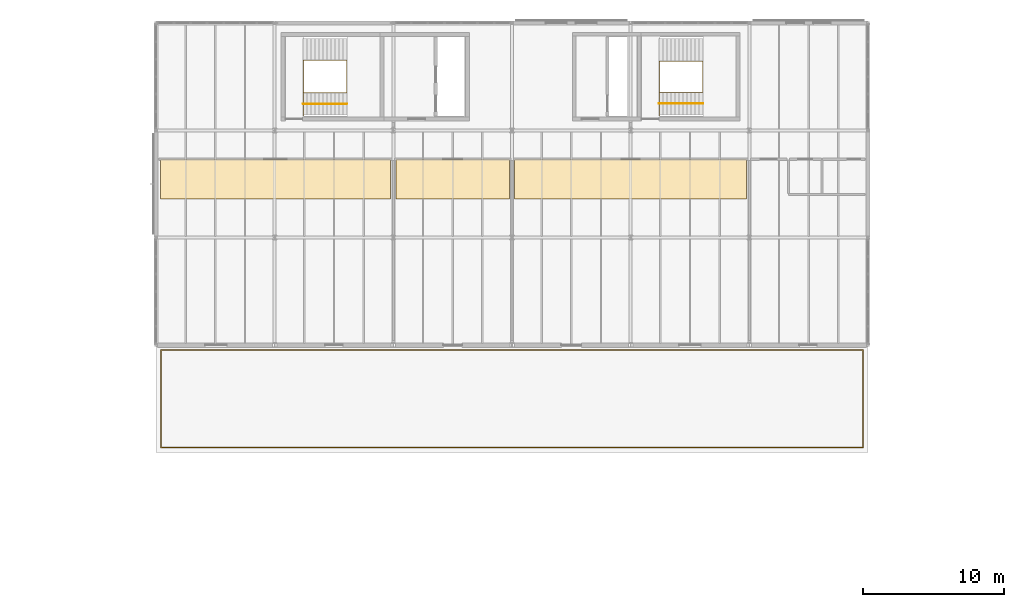
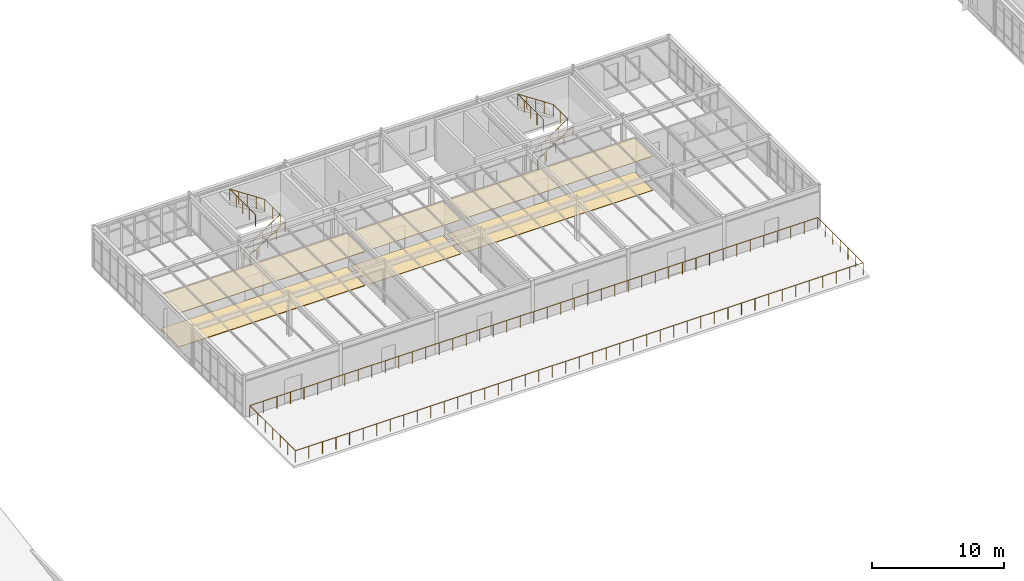
# One storey, part 63 of 65: 6 coverings, 5 railings.
"""IFC4 building model written with IfcOpenShell, lengths in metres."""

from ifc_helpers import new_model, si_unit, direction, frame, origin, origin_2d, place, context, subcontext, project, spatial, polyline, circle, outline, extrude, material, layer, layer_set, type_object, element, save


model = new_model("IFC4")

# Units and contexts
model_context = context("Model", 3, precision=1e-05, world=origin(), true_north=direction((0.0, 1.0)))
body_context = subcontext(model_context, "Body", "Model", "MODEL_VIEW")
ifc_project = project(units=[si_unit("LENGTHUNIT", "METRE"), si_unit("AREAUNIT", "SQUARE_METRE"), si_unit("VOLUMEUNIT", "CUBIC_METRE"), si_unit("PLANEANGLEUNIT", "RADIAN"), si_unit("MASSUNIT", "GRAM", prefix="KILO")], contexts=[model_context])

# Site, building, storey
site_placement = place(None, origin())
site = spatial("IfcSite", under=ifc_project, at=site_placement, CompositionType="ELEMENT")
building_placement = place(site_placement, origin())
building = spatial("IfcBuilding", under=site, at=building_placement, Name="Montecoro Central Library", CompositionType="ELEMENT")
storey_placement = place(building_placement, frame((0.0, 0.0, 17.340087890625)))
storey = spatial("IfcBuildingStorey", under=building, at=storey_placement, Name="L04", CompositionType="ELEMENT", Elevation=17.340087890625)

# Coverings
ifc_material_1 = material(Name="Acoustic perforated mineral ceiling")
ifc_layer_1 = layer(ifc_material_1, 0.02490234375)
ifc_layer_set_1 = layer_set([ifc_layer_1], Name="Acoustic perforated mineral ceiling")
covering_type_1 = type_object("IfcCoveringType", Name="COV-CLG-01", PredefinedType="CEILING", material=ifc_layer_set_1)
covering_1_placement = place(storey_placement, frame((0.0, 0.0, 3.155029296875)))
element("IfcCovering", 1, at=covering_1_placement, inside=storey, type_object=covering_type_1, Name="CLG-SP-V2-L04-R2P1", PredefinedType="CEILING", context=body_context, shape_type="SweptSolid", body=[
    extrude(outline(polyline([(83.389892578125, 106.550048828125), (91.409912109375, 106.550048828125), (91.409912109375, 109.35009765625), (83.389892578125, 109.35009765625), (83.389892578125, 106.550048828125)])), origin(), (0.0, 0.0, 1.0), 0.02490234375),
])
ifc_layer_2 = layer(ifc_material_1, 0.031982421875)
ifc_layer_set_2 = layer_set([ifc_layer_2], Name="Acoustic perforated mineral ceiling")
covering_type_2 = type_object("IfcCoveringType", Name="COV-CLG-02", PredefinedType="CEILING", material=ifc_layer_set_2)
covering_2_placement = place(storey_placement, frame((0.0, 0.0, 3.14794921875)))
element("IfcCovering", 2, at=covering_2_placement, inside=storey, type_object=covering_type_2, Name="CLG-SP-V2-L04-R3P1", PredefinedType="CEILING", context=body_context, shape_type="SweptSolid", body=[
    extrude(outline(polyline([(91.7900390625, 106.550048828125), (108.2099609375, 106.550048828125), (108.2099609375, 109.35009765625), (91.7900390625, 109.35009765625), (91.7900390625, 106.550048828125)])), origin(), (0.0, 0.0, 1.0), 0.031982421875),
])
ifc_layer_3 = layer(ifc_material_1, 0.048095703125)
ifc_layer_set_3 = layer_set([ifc_layer_3], Name="Acoustic perforated mineral ceiling")
covering_type_3 = type_object("IfcCoveringType", Name="COV-CLG-04", PredefinedType="CEILING", material=ifc_layer_set_3)
covering_3_placement = place(storey_placement, frame((0.0, 0.0, 3.1318359375)))
element("IfcCovering", 3, at=covering_3_placement, inside=storey, type_object=covering_type_3, Name="CLG-SP-V2-L04-R1P1", PredefinedType="CEILING", context=body_context, shape_type="SweptSolid", body=[
    extrude(outline(polyline([(66.719970703125, 106.550048828125), (83.010009765625, 106.550048828125), (83.010009765625, 109.35009765625), (66.719970703125, 109.35009765625), (66.719970703125, 106.550048828125)])), origin(), (0.0, 0.0, 1.0), 0.048095703125),
])
ifc_material_2 = material(Name="Neapolitan brass-inlaid terrazzo flooring")
ifc_layer_4 = layer(ifc_material_2, 0.028076171875)
ifc_layer_set_4 = layer_set([ifc_layer_4], Name="Neapolitan brass-inlaid terrazzo flooring")
covering_type_4 = type_object("IfcCoveringType", Name="COV-FLR-01", PredefinedType="FLOORING", material=ifc_layer_set_4)
covering_4_placement = place(storey_placement, origin())
element("IfcCovering", 4, at=covering_4_placement, inside=storey, type_object=covering_type_4, Name="FLR-SP-V2-L04-R2P1", PredefinedType="FLOORING", context=body_context, shape_type="SweptSolid", body=[
    extrude(outline(polyline([(83.389892578125, 106.550048828125), (91.409912109375, 106.550048828125), (91.409912109375, 109.35009765625), (83.389892578125, 109.35009765625), (83.389892578125, 106.550048828125)])), origin(), (0.0, 0.0, 1.0), 0.02783203125),
])
ifc_layer_5 = layer(ifc_material_2, 0.035888671875)
ifc_layer_set_5 = layer_set([ifc_layer_5], Name="Neapolitan brass-inlaid terrazzo flooring")
covering_type_5 = type_object("IfcCoveringType", Name="COV-FLR-02", PredefinedType="FLOORING", material=ifc_layer_set_5)
covering_5_placement = place(storey_placement, origin())
element("IfcCovering", 5, at=covering_5_placement, inside=storey, type_object=covering_type_5, Name="FLR-SP-V2-L04-R3P1", PredefinedType="FLOORING", context=body_context, shape_type="SweptSolid", body=[
    extrude(outline(polyline([(91.7900390625, 106.550048828125), (108.2099609375, 106.550048828125), (108.2099609375, 109.35009765625), (91.7900390625, 109.35009765625), (91.7900390625, 106.550048828125)])), origin(), (0.0, 0.0, 1.0), 0.035888671875),
])
ifc_layer_6 = layer(ifc_material_2, 0.052001953125)
ifc_layer_set_6 = layer_set([ifc_layer_6], Name="Neapolitan brass-inlaid terrazzo flooring")
covering_type_6 = type_object("IfcCoveringType", Name="COV-FLR-04", PredefinedType="FLOORING", material=ifc_layer_set_6)
covering_6_placement = place(storey_placement, origin())
element("IfcCovering", 6, at=covering_6_placement, inside=storey, type_object=covering_type_6, Name="FLR-SP-V2-L04-R1P1", PredefinedType="FLOORING", context=body_context, shape_type="SweptSolid", body=[
    extrude(outline(polyline([(66.719970703125, 106.550048828125), (83.010009765625, 106.550048828125), (83.010009765625, 109.35009765625), (66.719970703125, 109.35009765625), (66.719970703125, 106.550048828125)])), origin(), (0.0, 0.0, 1.0), 0.052001953125),
])

# Railings
ifc_material_3 = material(Name="Architectural bronze and laminated safety balustrade", Category="aluminium")
railing_type_1 = type_object("IfcRailingType", Name="GRD-EXT-110", PredefinedType="GUARDRAIL", material=ifc_material_3)
railing_1_placement = place(storey_placement, frame((66.75, 88.949951171875, 0.0)))
element("IfcRailing", 7, at=railing_1_placement, inside=storey, type_object=railing_type_1, Name="V2-L04-TGRD-1", PredefinedType="GUARDRAIL", context=body_context, shape_type="SweptSolid", body=[
    extrude(circle(Radius=0.02392578125, at=origin_2d()), frame((0.0, 0.0, 1.09619140625), z_axis=(1.0, 0.0, 0.0), x_axis=(0.0, 1.0, 0.0)), (0.0, 0.0, 1.0), 49.699951171875),
    extrude(circle(Radius=0.02392578125, at=origin_2d()), frame((49.699951171875, 0.0, 1.09619140625), z_axis=(0.0, 1.0, 0.0), x_axis=(-1.0, 0.0, 0.0)), (0.0, 0.0, 1.0), 6.900146484375),
    extrude(circle(Radius=0.02392578125, at=origin_2d()), frame((49.699951171875, 6.900146484375, 1.09619140625), z_axis=(-1.0, 0.0, 0.0), x_axis=(0.0, -1.0, 0.0)), (0.0, 0.0, 1.0), 49.699951171875),
    extrude(circle(Radius=0.02392578125, at=origin_2d()), frame((0.0, 6.900146484375, 1.09619140625), z_axis=(0.0, -1.0, 0.0), x_axis=(1.0, 0.0, 0.0)), (0.0, 0.0, 1.0), 6.900146484375),
    extrude(circle(Radius=0.02099609375, at=origin_2d()), origin(), (0.0, 0.0, 1.0), 1.072021484375),
    extrude(circle(Radius=0.02099609375, at=origin_2d()), frame((1.183349609375, 0.0, 0.0)), (0.0, 0.0, 1.0), 1.072021484375),
    extrude(circle(Radius=0.02099609375, at=origin_2d()), frame((2.36669921875, 0.0, 0.0)), (0.0, 0.0, 1.0), 1.072021484375),
    extrude(circle(Radius=0.02099609375, at=origin_2d()), frame((3.550048828125, 0.0, 0.0)), (0.0, 0.0, 1.0), 1.072021484375),
    extrude(circle(Radius=0.02099609375, at=origin_2d()), frame((4.7333984375, 0.0, 0.0)), (0.0, 0.0, 1.0), 1.072021484375),
    extrude(circle(Radius=0.02099609375, at=origin_2d()), frame((5.916748046875, 0.0, 0.0)), (0.0, 0.0, 1.0), 1.072021484375),
    extrude(circle(Radius=0.02099609375, at=origin_2d()), frame((7.10009765625, 0.0, 0.0)), (0.0, 0.0, 1.0), 1.072021484375),
    extrude(circle(Radius=0.02099609375, at=origin_2d()), frame((8.283203125, 0.0, 0.0)), (0.0, 0.0, 1.0), 1.072021484375),
    extrude(circle(Radius=0.02099609375, at=origin_2d()), frame((9.466552734375, 0.0, 0.0)), (0.0, 0.0, 1.0), 1.072021484375),
    extrude(circle(Radius=0.02099609375, at=origin_2d()), frame((10.64990234375, 0.0, 0.0)), (0.0, 0.0, 1.0), 1.072021484375),
    extrude(circle(Radius=0.02099609375, at=origin_2d()), frame((11.833251953125, 0.0, 0.0)), (0.0, 0.0, 1.0), 1.072021484375),
    extrude(circle(Radius=0.02099609375, at=origin_2d()), frame((13.0166015625, 0.0, 0.0)), (0.0, 0.0, 1.0), 1.072021484375),
    extrude(circle(Radius=0.02099609375, at=origin_2d()), frame((14.199951171875, 0.0, 0.0)), (0.0, 0.0, 1.0), 1.072021484375),
    extrude(circle(Radius=0.02099609375, at=origin_2d()), frame((15.38330078125, 0.0, 0.0)), (0.0, 0.0, 1.0), 1.072021484375),
    extrude(circle(Radius=0.02099609375, at=origin_2d()), frame((16.566650390625, 0.0, 0.0)), (0.0, 0.0, 1.0), 1.072021484375),
    extrude(circle(Radius=0.02099609375, at=origin_2d()), frame((17.75, 0.0, 0.0)), (0.0, 0.0, 1.0), 1.072021484375),
    extrude(circle(Radius=0.02099609375, at=origin_2d()), frame((18.933349609375, 0.0, 0.0)), (0.0, 0.0, 1.0), 1.072021484375),
    extrude(circle(Radius=0.02099609375, at=origin_2d()), frame((20.11669921875, 0.0, 0.0)), (0.0, 0.0, 1.0), 1.072021484375),
    extrude(circle(Radius=0.02099609375, at=origin_2d()), frame((21.300048828125, 0.0, 0.0)), (0.0, 0.0, 1.0), 1.072021484375),
    extrude(circle(Radius=0.02099609375, at=origin_2d()), frame((22.4833984375, 0.0, 0.0)), (0.0, 0.0, 1.0), 1.072021484375),
    extrude(circle(Radius=0.02099609375, at=origin_2d()), frame((23.666748046875, 0.0, 0.0)), (0.0, 0.0, 1.0), 1.072021484375),
    extrude(circle(Radius=0.02099609375, at=origin_2d()), frame((24.85009765625, 0.0, 0.0)), (0.0, 0.0, 1.0), 1.072021484375),
    extrude(circle(Radius=0.02099609375, at=origin_2d()), frame((26.033203125, 0.0, 0.0)), (0.0, 0.0, 1.0), 1.072021484375),
    extrude(circle(Radius=0.02099609375, at=origin_2d()), frame((27.216552734375, 0.0, 0.0)), (0.0, 0.0, 1.0), 1.072021484375),
    extrude(circle(Radius=0.02099609375, at=origin_2d()), frame((28.39990234375, 0.0, 0.0)), (0.0, 0.0, 1.0), 1.072021484375),
    extrude(circle(Radius=0.02099609375, at=origin_2d()), frame((29.583251953125, 0.0, 0.0)), (0.0, 0.0, 1.0), 1.072021484375),
    extrude(circle(Radius=0.02099609375, at=origin_2d()), frame((30.7666015625, 0.0, 0.0)), (0.0, 0.0, 1.0), 1.072021484375),
    extrude(circle(Radius=0.02099609375, at=origin_2d()), frame((31.949951171875, 0.0, 0.0)), (0.0, 0.0, 1.0), 1.072021484375),
    extrude(circle(Radius=0.02099609375, at=origin_2d()), frame((33.13330078125, 0.0, 0.0)), (0.0, 0.0, 1.0), 1.072021484375),
    extrude(circle(Radius=0.02099609375, at=origin_2d()), frame((34.316650390625, 0.0, 0.0)), (0.0, 0.0, 1.0), 1.072021484375),
    extrude(circle(Radius=0.02099609375, at=origin_2d()), frame((35.5, 0.0, 0.0)), (0.0, 0.0, 1.0), 1.072021484375),
    extrude(circle(Radius=0.02099609375, at=origin_2d()), frame((36.683349609375, 0.0, 0.0)), (0.0, 0.0, 1.0), 1.072021484375),
    extrude(circle(Radius=0.02099609375, at=origin_2d()), frame((37.86669921875, 0.0, 0.0)), (0.0, 0.0, 1.0), 1.072021484375),
    extrude(circle(Radius=0.02099609375, at=origin_2d()), frame((39.050048828125, 0.0, 0.0)), (0.0, 0.0, 1.0), 1.072021484375),
    extrude(circle(Radius=0.02099609375, at=origin_2d()), frame((40.2333984375, 0.0, 0.0)), (0.0, 0.0, 1.0), 1.072021484375),
    extrude(circle(Radius=0.02099609375, at=origin_2d()), frame((41.41650390625, 0.0, 0.0)), (0.0, 0.0, 1.0), 1.072021484375),
    extrude(circle(Radius=0.02099609375, at=origin_2d()), frame((42.599853515625, 0.0, 0.0)), (0.0, 0.0, 1.0), 1.072021484375),
    extrude(circle(Radius=0.02099609375, at=origin_2d()), frame((43.783203125, 0.0, 0.0)), (0.0, 0.0, 1.0), 1.072021484375),
    extrude(circle(Radius=0.02099609375, at=origin_2d()), frame((44.966552734375, 0.0, 0.0)), (0.0, 0.0, 1.0), 1.072021484375),
    extrude(circle(Radius=0.02099609375, at=origin_2d()), frame((46.14990234375, 0.0, 0.0)), (0.0, 0.0, 1.0), 1.072021484375),
    extrude(circle(Radius=0.02099609375, at=origin_2d()), frame((47.333251953125, 0.0, 0.0)), (0.0, 0.0, 1.0), 1.072021484375),
    extrude(circle(Radius=0.02099609375, at=origin_2d()), frame((48.5166015625, 0.0, 0.0)), (0.0, 0.0, 1.0), 1.072021484375),
    extrude(circle(Radius=0.02099609375, at=origin_2d()), frame((49.699951171875, 0.0, 0.0)), (0.0, 0.0, 1.0), 1.072021484375),
    extrude(circle(Radius=0.02099609375, at=origin_2d()), frame((49.699951171875, 1.14990234375, 0.0)), (0.0, 0.0, 1.0), 1.072021484375),
    extrude(circle(Radius=0.02099609375, at=origin_2d()), frame((49.699951171875, 2.300048828125, 0.0)), (0.0, 0.0, 1.0), 1.072021484375),
    extrude(circle(Radius=0.02099609375, at=origin_2d()), frame((49.699951171875, 3.4501953125, 0.0)), (0.0, 0.0, 1.0), 1.072021484375),
    extrude(circle(Radius=0.02099609375, at=origin_2d()), frame((49.699951171875, 4.60009765625, 0.0)), (0.0, 0.0, 1.0), 1.072021484375),
    extrude(circle(Radius=0.02099609375, at=origin_2d()), frame((49.699951171875, 5.75, 0.0)), (0.0, 0.0, 1.0), 1.072021484375),
    extrude(circle(Radius=0.02099609375, at=origin_2d()), frame((49.699951171875, 6.900146484375, 0.0)), (0.0, 0.0, 1.0), 1.072021484375),
    extrude(circle(Radius=0.02099609375, at=origin_2d()), frame((48.5166015625, 6.900146484375, 0.0)), (0.0, 0.0, 1.0), 1.072021484375),
    extrude(circle(Radius=0.02099609375, at=origin_2d()), frame((47.333251953125, 6.900146484375, 0.0)), (0.0, 0.0, 1.0), 1.072021484375),
    extrude(circle(Radius=0.02099609375, at=origin_2d()), frame((46.14990234375, 6.900146484375, 0.0)), (0.0, 0.0, 1.0), 1.072021484375),
    extrude(circle(Radius=0.02099609375, at=origin_2d()), frame((44.966552734375, 6.900146484375, 0.0)), (0.0, 0.0, 1.0), 1.072021484375),
    extrude(circle(Radius=0.02099609375, at=origin_2d()), frame((43.783203125, 6.900146484375, 0.0)), (0.0, 0.0, 1.0), 1.072021484375),
    extrude(circle(Radius=0.02099609375, at=origin_2d()), frame((42.599853515625, 6.900146484375, 0.0)), (0.0, 0.0, 1.0), 1.072021484375),
    extrude(circle(Radius=0.02099609375, at=origin_2d()), frame((41.41650390625, 6.900146484375, 0.0)), (0.0, 0.0, 1.0), 1.072021484375),
    extrude(circle(Radius=0.02099609375, at=origin_2d()), frame((40.2333984375, 6.900146484375, 0.0)), (0.0, 0.0, 1.0), 1.072021484375),
    extrude(circle(Radius=0.02099609375, at=origin_2d()), frame((39.050048828125, 6.900146484375, 0.0)), (0.0, 0.0, 1.0), 1.072021484375),
    extrude(circle(Radius=0.02099609375, at=origin_2d()), frame((37.86669921875, 6.900146484375, 0.0)), (0.0, 0.0, 1.0), 1.072021484375),
    extrude(circle(Radius=0.02099609375, at=origin_2d()), frame((36.683349609375, 6.900146484375, 0.0)), (0.0, 0.0, 1.0), 1.072021484375),
    extrude(circle(Radius=0.02099609375, at=origin_2d()), frame((35.5, 6.900146484375, 0.0)), (0.0, 0.0, 1.0), 1.072021484375),
    extrude(circle(Radius=0.02099609375, at=origin_2d()), frame((34.316650390625, 6.900146484375, 0.0)), (0.0, 0.0, 1.0), 1.072021484375),
    extrude(circle(Radius=0.02099609375, at=origin_2d()), frame((33.13330078125, 6.900146484375, 0.0)), (0.0, 0.0, 1.0), 1.072021484375),
    extrude(circle(Radius=0.02099609375, at=origin_2d()), frame((31.949951171875, 6.900146484375, 0.0)), (0.0, 0.0, 1.0), 1.072021484375),
    extrude(circle(Radius=0.02099609375, at=origin_2d()), frame((30.7666015625, 6.900146484375, 0.0)), (0.0, 0.0, 1.0), 1.072021484375),
    extrude(circle(Radius=0.02099609375, at=origin_2d()), frame((29.583251953125, 6.900146484375, 0.0)), (0.0, 0.0, 1.0), 1.072021484375),
    extrude(circle(Radius=0.02099609375, at=origin_2d()), frame((28.39990234375, 6.900146484375, 0.0)), (0.0, 0.0, 1.0), 1.072021484375),
    extrude(circle(Radius=0.02099609375, at=origin_2d()), frame((27.216552734375, 6.900146484375, 0.0)), (0.0, 0.0, 1.0), 1.072021484375),
    extrude(circle(Radius=0.02099609375, at=origin_2d()), frame((26.033203125, 6.900146484375, 0.0)), (0.0, 0.0, 1.0), 1.072021484375),
    extrude(circle(Radius=0.02099609375, at=origin_2d()), frame((24.85009765625, 6.900146484375, 0.0)), (0.0, 0.0, 1.0), 1.072021484375),
    extrude(circle(Radius=0.02099609375, at=origin_2d()), frame((23.666748046875, 6.900146484375, 0.0)), (0.0, 0.0, 1.0), 1.072021484375),
    extrude(circle(Radius=0.02099609375, at=origin_2d()), frame((22.4833984375, 6.900146484375, 0.0)), (0.0, 0.0, 1.0), 1.072021484375),
    extrude(circle(Radius=0.02099609375, at=origin_2d()), frame((21.300048828125, 6.900146484375, 0.0)), (0.0, 0.0, 1.0), 1.072021484375),
    extrude(circle(Radius=0.02099609375, at=origin_2d()), frame((20.11669921875, 6.900146484375, 0.0)), (0.0, 0.0, 1.0), 1.072021484375),
    extrude(circle(Radius=0.02099609375, at=origin_2d()), frame((18.933349609375, 6.900146484375, 0.0)), (0.0, 0.0, 1.0), 1.072021484375),
    extrude(circle(Radius=0.02099609375, at=origin_2d()), frame((17.75, 6.900146484375, 0.0)), (0.0, 0.0, 1.0), 1.072021484375),
    extrude(circle(Radius=0.02099609375, at=origin_2d()), frame((16.566650390625, 6.900146484375, 0.0)), (0.0, 0.0, 1.0), 1.072021484375),
    extrude(circle(Radius=0.02099609375, at=origin_2d()), frame((15.38330078125, 6.900146484375, 0.0)), (0.0, 0.0, 1.0), 1.072021484375),
    extrude(circle(Radius=0.02099609375, at=origin_2d()), frame((14.199951171875, 6.900146484375, 0.0)), (0.0, 0.0, 1.0), 1.072021484375),
    extrude(circle(Radius=0.02099609375, at=origin_2d()), frame((13.0166015625, 6.900146484375, 0.0)), (0.0, 0.0, 1.0), 1.072021484375),
    extrude(circle(Radius=0.02099609375, at=origin_2d()), frame((11.833251953125, 6.900146484375, 0.0)), (0.0, 0.0, 1.0), 1.072021484375),
    extrude(circle(Radius=0.02099609375, at=origin_2d()), frame((10.64990234375, 6.900146484375, 0.0)), (0.0, 0.0, 1.0), 1.072021484375),
    extrude(circle(Radius=0.02099609375, at=origin_2d()), frame((9.466552734375, 6.900146484375, 0.0)), (0.0, 0.0, 1.0), 1.072021484375),
    extrude(circle(Radius=0.02099609375, at=origin_2d()), frame((8.283203125, 6.900146484375, 0.0)), (0.0, 0.0, 1.0), 1.072021484375),
    extrude(circle(Radius=0.02099609375, at=origin_2d()), frame((7.10009765625, 6.900146484375, 0.0)), (0.0, 0.0, 1.0), 1.072021484375),
    extrude(circle(Radius=0.02099609375, at=origin_2d()), frame((5.916748046875, 6.900146484375, 0.0)), (0.0, 0.0, 1.0), 1.072021484375),
    extrude(circle(Radius=0.02099609375, at=origin_2d()), frame((4.7333984375, 6.900146484375, 0.0)), (0.0, 0.0, 1.0), 1.072021484375),
    extrude(circle(Radius=0.02099609375, at=origin_2d()), frame((3.550048828125, 6.900146484375, 0.0)), (0.0, 0.0, 1.0), 1.072021484375),
    extrude(circle(Radius=0.02099609375, at=origin_2d()), frame((2.36669921875, 6.900146484375, 0.0)), (0.0, 0.0, 1.0), 1.072021484375),
    extrude(circle(Radius=0.02099609375, at=origin_2d()), frame((1.183349609375, 6.900146484375, 0.0)), (0.0, 0.0, 1.0), 1.072021484375),
    extrude(circle(Radius=0.02099609375, at=origin_2d()), frame((0.0, 6.900146484375, 0.0)), (0.0, 0.0, 1.0), 1.072021484375),
    extrude(circle(Radius=0.02099609375, at=origin_2d()), frame((0.0, 5.75, 0.0)), (0.0, 0.0, 1.0), 1.072021484375),
    extrude(circle(Radius=0.02099609375, at=origin_2d()), frame((0.0, 4.60009765625, 0.0)), (0.0, 0.0, 1.0), 1.072021484375),
    extrude(circle(Radius=0.02099609375, at=origin_2d()), frame((0.0, 3.4501953125, 0.0)), (0.0, 0.0, 1.0), 1.072021484375),
    extrude(circle(Radius=0.02099609375, at=origin_2d()), frame((0.0, 2.300048828125, 0.0)), (0.0, 0.0, 1.0), 1.072021484375),
    extrude(circle(Radius=0.02099609375, at=origin_2d()), frame((0.0, 1.14990234375, 0.0)), (0.0, 0.0, 1.0), 1.072021484375),
])
ifc_material_4 = material(Name="Brushed stainless steel and bronze balustrade", Category="steel")
railing_type_2 = type_object("IfcRailingType", Name="GRD-INT-110", PredefinedType="GUARDRAIL", material=ifc_material_4)
railing_2_placement = place(storey_placement, frame((76.820068359375, 114.050048828125, 0.0)))
element("IfcRailing", 8, at=railing_2_placement, inside=storey, type_object=railing_type_2, Name="C2-L04-STR-GRD", PredefinedType="GUARDRAIL", context=body_context, shape_type="SweptSolid", body=[
    extrude(circle(Radius=0.02392578125, at=origin_2d()), frame((0.0, 0.0, 1.09619140625), z_axis=(0.833724155633, 0.0, 0.552181158963), x_axis=(0.0, 1.0, 0.0)), (0.0, 0.0, 1.0), 3.694091796875),
    extrude(circle(Radius=0.02392578125, at=origin_2d()), frame((3.079833984375, 0.0, 3.1357421875), z_axis=(0.0, 1.0, 0.0), x_axis=(-1.0, 0.0, 0.0)), (0.0, 0.0, 1.0), 2.300048828125),
    extrude(circle(Radius=0.02392578125, at=origin_2d()), frame((3.079833984375, 2.300048828125, 3.1357421875), z_axis=(-0.833693729882, 0.0, 0.552227095275), x_axis=(0.0, -1.0, 0.0)), (0.0, 0.0, 1.0), 3.694091796875),
    extrude(circle(Radius=0.02392578125, at=origin_2d()), frame((0.0, 2.300048828125, 5.17578125), z_axis=(0.0, -1.0, 0.0), x_axis=(1.0, 0.0, 0.0)), (0.0, 0.0, 1.0), 3.900146484375),
    extrude(circle(Radius=0.02099609375, at=origin_2d()), origin(), (0.0, 0.0, 1.0), 1.072021484375),
    extrude(circle(Radius=0.02099609375, at=origin_2d()), frame((0.77001953125, 0.0, 0.510009765625)), (0.0, 0.0, 1.0), 1.072021484375),
    extrude(circle(Radius=0.02099609375, at=origin_2d()), frame((1.5400390625, 0.0, 1.02001953125)), (0.0, 0.0, 1.0), 1.072021484375),
    extrude(circle(Radius=0.02099609375, at=origin_2d()), frame((2.309814453125, 0.0, 1.52978515625)), (0.0, 0.0, 1.0), 1.072021484375),
    extrude(circle(Radius=0.02099609375, at=origin_2d()), frame((3.079833984375, 0.0, 2.039794921875)), (0.0, 0.0, 1.0), 1.072021484375),
    extrude(circle(Radius=0.02099609375, at=origin_2d()), frame((3.079833984375, 1.14990234375, 2.039794921875)), (0.0, 0.0, 1.0), 1.072021484375),
    extrude(circle(Radius=0.02099609375, at=origin_2d()), frame((3.079833984375, 2.300048828125, 2.039794921875)), (0.0, 0.0, 1.0), 1.072021484375),
    extrude(circle(Radius=0.02099609375, at=origin_2d()), frame((2.309814453125, 2.300048828125, 2.5498046875)), (0.0, 0.0, 1.0), 1.072021484375),
    extrude(circle(Radius=0.02099609375, at=origin_2d()), frame((1.5400390625, 2.300048828125, 3.059814453125)), (0.0, 0.0, 1.0), 1.072021484375),
    extrude(circle(Radius=0.02099609375, at=origin_2d()), frame((0.77001953125, 2.300048828125, 3.56982421875)), (0.0, 0.0, 1.0), 1.072021484375),
    extrude(circle(Radius=0.02099609375, at=origin_2d()), frame((0.0, 2.300048828125, 4.079833984375)), (0.0, 0.0, 1.0), 1.072021484375),
    extrude(circle(Radius=0.02099609375, at=origin_2d()), frame((0.0, 1.324951171875, 4.079833984375)), (0.0, 0.0, 1.0), 1.072021484375),
    extrude(circle(Radius=0.02099609375, at=origin_2d()), frame((0.0, 0.35009765625, 4.079833984375)), (0.0, 0.0, 1.0), 1.072021484375),
    extrude(circle(Radius=0.02099609375, at=origin_2d()), frame((0.0, -0.625, 4.079833984375)), (0.0, 0.0, 1.0), 1.072021484375),
    extrude(circle(Radius=0.02099609375, at=origin_2d()), frame((0.0, -1.60009765625, 4.079833984375)), (0.0, 0.0, 1.0), 1.072021484375),
])
railing_3_placement = place(storey_placement, frame((102.02001953125, 114.10009765625, 0.0)))
element("IfcRailing", 9, at=railing_3_placement, inside=storey, type_object=railing_type_2, Name="C3-L04-STR-GRD", PredefinedType="GUARDRAIL", context=body_context, shape_type="SweptSolid", body=[
    extrude(circle(Radius=0.02392578125, at=origin_2d()), frame((0.0, 0.0, 1.09619140625), z_axis=(0.833744305047, 0.0, 0.552150734675), x_axis=(0.0, 1.0, 0.0)), (0.0, 0.0, 1.0), 3.6943359375),
    extrude(circle(Radius=0.02392578125, at=origin_2d()), frame((3.080078125, 0.0, 3.1357421875), z_axis=(0.0, 1.0, 0.0), x_axis=(-1.0, 0.0, 0.0)), (0.0, 0.0, 1.0), 2.199951171875),
    extrude(circle(Radius=0.02392578125, at=origin_2d()), frame((3.080078125, 2.199951171875, 3.1357421875), z_axis=(-0.833713881912, 0.0, 0.552196670677), x_axis=(0.0, -1.0, 0.0)), (0.0, 0.0, 1.0), 3.6943359375),
    extrude(circle(Radius=0.02392578125, at=origin_2d()), frame((0.0, 2.199951171875, 5.17578125), z_axis=(0.0, -1.0, 0.0), x_axis=(1.0, 0.0, 0.0)), (0.0, 0.0, 1.0), 3.85009765625),
    extrude(circle(Radius=0.02099609375, at=origin_2d()), origin(), (0.0, 0.0, 1.0), 1.072021484375),
    extrude(circle(Radius=0.02099609375, at=origin_2d()), frame((0.77001953125, 0.0, 0.510009765625)), (0.0, 0.0, 1.0), 1.072021484375),
    extrude(circle(Radius=0.02099609375, at=origin_2d()), frame((1.5400390625, 0.0, 1.02001953125)), (0.0, 0.0, 1.0), 1.072021484375),
    extrude(circle(Radius=0.02099609375, at=origin_2d()), frame((2.31005859375, 0.0, 1.52978515625)), (0.0, 0.0, 1.0), 1.072021484375),
    extrude(circle(Radius=0.02099609375, at=origin_2d()), frame((3.080078125, 0.0, 2.039794921875)), (0.0, 0.0, 1.0), 1.072021484375),
    extrude(circle(Radius=0.02099609375, at=origin_2d()), frame((3.080078125, 1.10009765625, 2.039794921875)), (0.0, 0.0, 1.0), 1.072021484375),
    extrude(circle(Radius=0.02099609375, at=origin_2d()), frame((3.080078125, 2.199951171875, 2.039794921875)), (0.0, 0.0, 1.0), 1.072021484375),
    extrude(circle(Radius=0.02099609375, at=origin_2d()), frame((2.31005859375, 2.199951171875, 2.5498046875)), (0.0, 0.0, 1.0), 1.072021484375),
    extrude(circle(Radius=0.02099609375, at=origin_2d()), frame((1.5400390625, 2.199951171875, 3.059814453125)), (0.0, 0.0, 1.0), 1.072021484375),
    extrude(circle(Radius=0.02099609375, at=origin_2d()), frame((0.77001953125, 2.199951171875, 3.56982421875)), (0.0, 0.0, 1.0), 1.072021484375),
    extrude(circle(Radius=0.02099609375, at=origin_2d()), frame((0.0, 2.199951171875, 4.079833984375)), (0.0, 0.0, 1.0), 1.072021484375),
    extrude(circle(Radius=0.02099609375, at=origin_2d()), frame((0.0, 1.2373046875, 4.079833984375)), (0.0, 0.0, 1.0), 1.072021484375),
    extrude(circle(Radius=0.02099609375, at=origin_2d()), frame((0.0, 0.27490234375, 4.079833984375)), (0.0, 0.0, 1.0), 1.072021484375),
    extrude(circle(Radius=0.02099609375, at=origin_2d()), frame((0.0, -0.6875, 4.079833984375)), (0.0, 0.0, 1.0), 1.072021484375),
    extrude(circle(Radius=0.02099609375, at=origin_2d()), frame((0.0, -1.650146484375, 4.079833984375)), (0.0, 0.0, 1.0), 1.072021484375),
])
ifc_material_5 = material(Name="Brushed architectural bronze handrail")
railing_type_3 = type_object("IfcRailingType", Name="HRL-STR-095", PredefinedType="HANDRAIL", material=ifc_material_5)
railing_4_placement = place(storey_placement, frame((76.820068359375, 113.27490234375, 0.0)))
element("IfcRailing", 10, at=railing_4_placement, inside=storey, type_object=railing_type_3, Name="C2-L04-STR-HR1", PredefinedType="HANDRAIL", context=body_context, shape_type="SweptSolid", body=[
    extrude(circle(Radius=0.02392578125, at=origin_2d()), frame((0.0, 0.0, 0.92578125), z_axis=(0.833724155633, 0.0, 0.552181158963), x_axis=(0.0, 1.0, 0.0)), (0.0, 0.0, 1.0), 3.694091796875),
    extrude(circle(Radius=0.02099609375, at=origin_2d()), origin(), (0.0, 0.0, 1.0), 0.90185546875),
    extrude(circle(Radius=0.02099609375, at=origin_2d()), frame((0.77001953125, 0.0, 0.510009765625)), (0.0, 0.0, 1.0), 0.90185546875),
    extrude(circle(Radius=0.02099609375, at=origin_2d()), frame((1.5400390625, 0.0, 1.02001953125)), (0.0, 0.0, 1.0), 0.90185546875),
    extrude(circle(Radius=0.02099609375, at=origin_2d()), frame((2.309814453125, 0.0, 1.52978515625)), (0.0, 0.0, 1.0), 0.90185546875),
    extrude(circle(Radius=0.02099609375, at=origin_2d()), frame((3.079833984375, 0.0, 2.039794921875)), (0.0, 0.0, 1.0), 0.90185546875),
])
railing_5_placement = place(storey_placement, frame((102.02001953125, 113.300048828125, 0.0)))
element("IfcRailing", 11, at=railing_5_placement, inside=storey, type_object=railing_type_3, Name="C3-L04-STR-HR1", PredefinedType="HANDRAIL", context=body_context, shape_type="SweptSolid", body=[
    extrude(circle(Radius=0.02392578125, at=origin_2d()), frame((0.0, 0.0, 0.92578125), z_axis=(0.833744305047, 0.0, 0.552150734675), x_axis=(0.0, 1.0, 0.0)), (0.0, 0.0, 1.0), 3.6943359375),
    extrude(circle(Radius=0.02099609375, at=origin_2d()), origin(), (0.0, 0.0, 1.0), 0.90185546875),
    extrude(circle(Radius=0.02099609375, at=origin_2d()), frame((0.77001953125, 0.0, 0.510009765625)), (0.0, 0.0, 1.0), 0.90185546875),
    extrude(circle(Radius=0.02099609375, at=origin_2d()), frame((1.5400390625, 0.0, 1.02001953125)), (0.0, 0.0, 1.0), 0.90185546875),
    extrude(circle(Radius=0.02099609375, at=origin_2d()), frame((2.31005859375, 0.0, 1.52978515625)), (0.0, 0.0, 1.0), 0.90185546875),
    extrude(circle(Radius=0.02099609375, at=origin_2d()), frame((3.080078125, 0.0, 2.039794921875)), (0.0, 0.0, 1.0), 0.90185546875),
])

save(model, "model.ifc")
